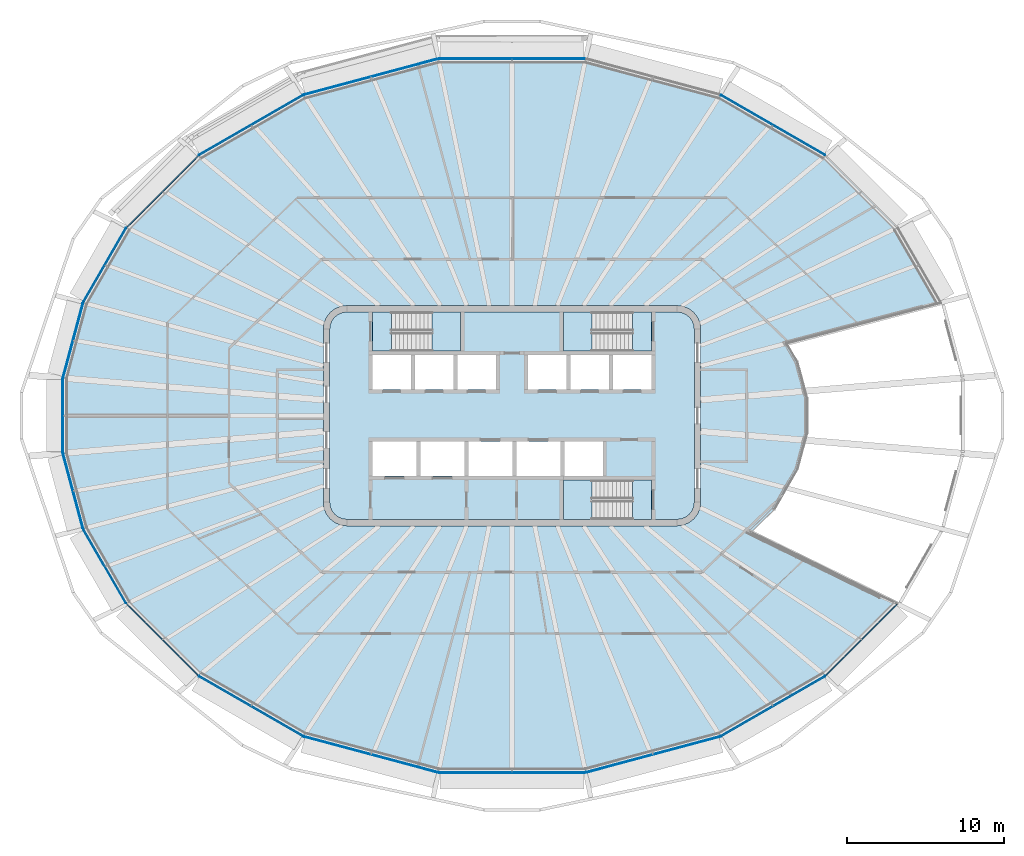
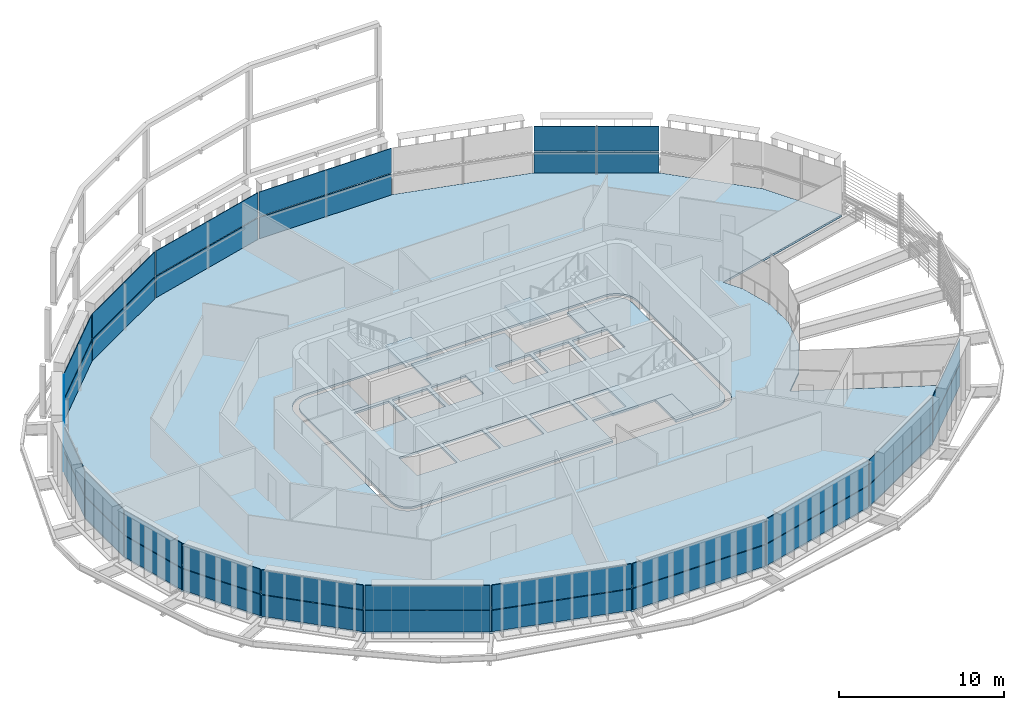
# One storey, part 8 of 19: 34 plates, 8 slabs, 20 elements without a shape of their own.
"""IFC4 building model written with IfcOpenShell, lengths in metres."""

from ifc_helpers import new_model, si_unit, direction, frame, origin, place, context, subcontext, project, spatial, polyline, outline, extrude, material, layer, layer_set, type_object, element, aggregate, save


model = new_model("IFC4")

# Units and contexts
model_context = context("Model", 3, precision=1e-05, world=origin(), true_north=direction((0.0, 1.0)))
body_context = subcontext(model_context, "Body", "Model", "MODEL_VIEW")
ifc_project = project(units=[si_unit("LENGTHUNIT", "METRE"), si_unit("AREAUNIT", "SQUARE_METRE"), si_unit("VOLUMEUNIT", "CUBIC_METRE"), si_unit("PLANEANGLEUNIT", "RADIAN"), si_unit("MASSUNIT", "GRAM", prefix="KILO")], contexts=[model_context])

# Site, building, storey
site_placement = place(None, origin())
site = spatial("IfcSite", under=ifc_project, at=site_placement, CompositionType="ELEMENT")
building_placement = place(site_placement, origin())
building = spatial("IfcBuilding", under=site, at=building_placement, Name="Sahrelin Media Tower", CompositionType="ELEMENT")
storey_placement = place(building_placement, frame((0.0, 0.0, 287.0)))
storey = spatial("IfcBuildingStorey", under=building, at=storey_placement, Name="L63", CompositionType="ELEMENT", Elevation=287.0)

# Slabs
ifc_material_1 = material(Name="Concrete C40/50", Category="concrete")
ifc_layer_1 = layer(ifc_material_1, 0.14990234375)
ifc_layer_set_1 = layer_set([ifc_layer_1], Name="Composite floor slab 150")
slab_type_1 = type_object("IfcSlabType", Name="Composite floor slab 150", PredefinedType="FLOOR", material=ifc_layer_set_1)
placement_1 = place(storey_placement, frame((0.0, 0.0, -0.14990234375)))
element("IfcSlab", 1, at=placement_1, inside=storey, type_object=slab_type_1, Name="Floor slab L63", PredefinedType="FLOOR", context=body_context, shape_type="SweptSolid", body=[
    extrude(outline(polyline([(19.927734375, -16.536376953125), (24.5, -11.964111328125), (15.20703125, -7.426025390625), (16.677001953125, -5.9560546875), (18.150390625, -3.404541015625), (18.767578125, -1.10107421875), (18.767578125, 1.10107421875), (18.150390625, 3.404541015625), (17.460205078125, 4.599609375), (27.262451171875, 7.181884765625), (24.503173828125, 11.9609375), (19.927734375, 16.536376953125), (13.251708984375, 20.390869140625), (4.68310546875, 22.686767578125), (-4.68310546875, 22.686767578125), (-13.251708984375, 20.390869140625), (-19.927734375, 16.536376953125), (-24.503173828125, 11.9609375), (-27.263916015625, 7.179443359375), (-28.547607421875, 2.388671875), (-28.547607421875, -2.388671875), (-27.263916015625, -7.179443359375), (-24.503173828125, -11.9609375), (-19.927734375, -16.536376953125), (-13.251708984375, -20.390869140625), (-4.68310546875, -22.686767578125), (4.68310546875, -22.686767578125), (13.251708984375, -20.390869140625), (19.927734375, -16.536376953125)]), holes=[polyline([(11.799072265625, 6.25), (11.948974609375, 5.88818359375), (12.0, 5.5), (12.0, -5.5), (11.948974609375, -5.88818359375), (11.799072265625, -6.25), (11.560791015625, -6.560791015625), (11.25, -6.799072265625), (10.88818359375, -6.948974609375), (10.5, -7.0), (-10.5, -7.0), (-10.88818359375, -6.948974609375), (-11.25, -6.799072265625), (-11.560791015625, -6.560791015625), (-11.799072265625, -6.25), (-11.948974609375, -5.88818359375), (-12.0, -5.5), (-12.0, 5.5), (-11.948974609375, 5.88818359375), (-11.799072265625, 6.25), (-11.560791015625, 6.560791015625), (-11.25, 6.799072265625), (-10.88818359375, 6.948974609375), (-10.5, 7.0), (10.5, 7.0), (10.88818359375, 6.948974609375), (11.25, 6.799072265625), (11.560791015625, 6.560791015625), (11.799072265625, 6.25)])]), origin(), (0.0, 0.0, 1.0), 0.14990234375),
])
ifc_layer_2 = layer(ifc_material_1, 0.14990234375)
ifc_layer_set_2 = layer_set([ifc_layer_2], Name="Core floor slab 150")
slab_type_2 = type_object("IfcSlabType", Name="Core floor slab 150", PredefinedType="FLOOR", material=ifc_layer_set_2)
element("IfcSlab", 2, at=placement_1, inside=storey, type_object=slab_type_2, Name="Core floor", PredefinedType="FLOOR", context=body_context, shape_type="SweptSolid", body=[
    extrude(outline(polyline([(-11.60009765625, -5.473876953125), (-11.55908203125, -5.78369140625), (-11.44970703125, -6.04833984375), (-11.275390625, -6.275390625), (-11.04833984375, -6.44970703125), (-10.78369140625, -6.55908203125), (-10.473876953125, -6.60009765625), (3.27490234375, -6.60009765625), (3.27490234375, -4.10009765625), (8.875, -4.10009765625), (8.875, -6.60009765625), (10.473876953125, -6.60009765625), (10.78369140625, -6.55908203125), (11.04833984375, -6.44970703125), (11.275390625, -6.275390625), (11.44970703125, -6.04833984375), (11.55908203125, -5.78369140625), (11.60009765625, -5.473876953125), (11.60009765625, 5.473876953125), (11.55908203125, 5.78369140625), (11.44970703125, 6.04833984375), (11.275390625, 6.275390625), (11.04833984375, 6.44970703125), (10.78369140625, 6.55908203125), (10.473876953125, 6.60009765625), (8.875, 6.60009765625), (8.875, 4.10009765625), (3.27490234375, 4.10009765625), (3.27490234375, 6.60009765625), (-3.27490234375, 6.60009765625), (-3.27490234375, 4.10009765625), (-8.875, 4.10009765625), (-8.875, 6.60009765625), (-10.473876953125, 6.60009765625), (-10.78369140625, 6.55908203125), (-11.04833984375, 6.44970703125), (-11.275390625, 6.275390625), (-11.44970703125, 6.04833984375), (-11.55908203125, 5.78369140625), (-11.60009765625, 5.473876953125), (-11.60009765625, -5.473876953125)]), holes=[polyline([(-8.875, 3.85009765625), (-8.875, 1.64990234375), (-6.425048828125, 1.64990234375), (-6.425048828125, 3.85009765625), (-8.875, 3.85009765625)]), polyline([(-3.72509765625, 3.85009765625), (-6.175048828125, 3.85009765625), (-6.175048828125, 1.64990234375), (-3.72509765625, 1.64990234375), (-3.72509765625, 3.85009765625)]), polyline([(-1.02490234375, 1.64990234375), (-1.02490234375, 3.85009765625), (-3.47509765625, 3.85009765625), (-3.47509765625, 1.64990234375), (-1.02490234375, 1.64990234375)]), polyline([(1.02490234375, 1.64990234375), (3.47509765625, 1.64990234375), (3.47509765625, 3.85009765625), (1.02490234375, 3.85009765625), (1.02490234375, 1.64990234375)]), polyline([(3.72509765625, 3.85009765625), (3.72509765625, 1.64990234375), (6.175048828125, 1.64990234375), (6.175048828125, 3.85009765625), (3.72509765625, 3.85009765625)]), polyline([(8.875, 3.85009765625), (6.425048828125, 3.85009765625), (6.425048828125, 1.64990234375), (8.875, 1.64990234375), (8.875, 3.85009765625)]), polyline([(-6.074951171875, -3.85009765625), (-6.074951171875, -1.64990234375), (-8.875, -1.64990234375), (-8.875, -3.85009765625), (-6.074951171875, -3.85009765625)]), polyline([(-5.824951171875, -3.85009765625), (-3.02490234375, -3.85009765625), (-3.02490234375, -1.64990234375), (-5.824951171875, -1.64990234375), (-5.824951171875, -3.85009765625)]), polyline([(-2.77490234375, -1.64990234375), (-2.77490234375, -3.85009765625), (0.02490234375, -3.85009765625), (0.02490234375, -1.64990234375), (-2.77490234375, -1.64990234375)]), polyline([(3.074951171875, -1.64990234375), (0.27490234375, -1.64990234375), (0.27490234375, -3.85009765625), (3.074951171875, -3.85009765625), (3.074951171875, -1.64990234375)]), polyline([(5.77490234375, -3.85009765625), (5.77490234375, -1.64990234375), (3.324951171875, -1.64990234375), (3.324951171875, -3.85009765625), (5.77490234375, -3.85009765625)])]), origin(), (0.0, 0.0, 1.0), 0.14990234375),
])

# Curtain wall, plate
ifc_material_2 = material(Name="Champagne anodised aluminium 6063-T6", Category="aluminium")
ifc_layer_3 = layer(ifc_material_2, 0.14990234375)
ifc_layer_set_3 = layer_set([ifc_layer_3], Name="Tower ribbon curtain wall")
curtain_wall_type = type_object("IfcCurtainWallType", Name="Tower ribbon curtain wall", PredefinedType="NOTDEFINED", material=ifc_layer_set_3)
curtain_wall_1_placement = place(storey_placement, frame((16.599853515625, 18.48095703125, 0.0), z_axis=(0.0, 0.0, 1.0), x_axis=(1.0, 0.0, 0.0)))
curtain_wall_1 = element("IfcCurtainWall", 3, at=curtain_wall_1_placement, inside=storey, type_object=curtain_wall_type, Name="L63:CW:L63-04", PredefinedType="NOTDEFINED")
ifc_material_3 = material(Name="Clear low-iron glazing", Category="glass")
ifc_layer_4 = layer(ifc_material_3, 0.048095703125)
ifc_layer_set_4 = layer_set([ifc_layer_4], Name="Glazing panel 48 mm CW1C")
plate_type_1 = type_object("IfcPlateType", Name="Glazing panel 48 mm CW1C", PredefinedType="CURTAIN_PANEL", material=ifc_layer_set_4)
plate_1_placement = place(storey_placement, frame((19.90673828125, 16.5947265625, 1.6298828125), z_axis=(0.500008334558, 0.866020591771, 0.0), x_axis=(-0.866020591771, 0.500008334558, 0.0)))
plate_1 = element("IfcPlate", 4, at=plate_1_placement, type_object=plate_type_1, Name="L63:CWP2:L63-04", PredefinedType="CURTAIN_PANEL", context=body_context, shape_type="SweptSolid", body=[
    extrude(outline(polyline([(0.0, 0.0), (7.614013671875, 0.0), (7.614013671875, 1.818603515625), (0.0, 1.818603515625), (0.0, 0.0)])), origin(), (0.0, 0.0, -1.0), 0.048095703125),
])

curtain_wall_2_placement = place(storey_placement, frame((0.0, 22.706787109375, 0.0), z_axis=(0.0, 0.0, 1.0), x_axis=(1.0, 0.0, 0.0)))
curtain_wall_2 = element("IfcCurtainWall", 5, at=curtain_wall_2_placement, inside=storey, type_object=curtain_wall_type, Name="L63:CW:L63-06", PredefinedType="NOTDEFINED")
plate_2_placement = place(storey_placement, frame((4.635498046875, 22.726806640625, 1.6298828125), z_axis=(0.0, 1.0, 0.0), x_axis=(-1.0, 0.0, 0.0)))
plate_2 = element("IfcPlate", 6, at=plate_2_placement, type_object=plate_type_1, Name="L63:CWP2:L63-06", PredefinedType="CURTAIN_PANEL", context=body_context, shape_type="SweptSolid", body=[
    extrude(outline(polyline([(0.0, 0.0), (9.27099609375, 0.0), (9.27099609375, 1.818603515625), (0.0, 1.818603515625), (0.0, 0.0)])), origin(), (0.0, 0.0, -1.0), 0.048095703125),
])

curtain_wall_3_placement = place(storey_placement, frame((-8.972412109375, 21.55810546875, 0.0), z_axis=(0.0, 0.0, 1.0), x_axis=(1.0, 0.0, 0.0)))
curtain_wall_3 = element("IfcCurtainWall", 7, at=curtain_wall_3_placement, inside=storey, type_object=curtain_wall_type, Name="L63:CW:L63-07", PredefinedType="NOTDEFINED")
plate_3_placement = place(storey_placement, frame((-4.739013671875, 22.713134765625, 1.6298828125), z_axis=(-0.2587930952, 0.965932779171, 0.0), x_axis=(-0.965932779171, -0.2587930952, 0.0)))
plate_3 = element("IfcPlate", 8, at=plate_3_placement, type_object=plate_type_1, Name="L63:CWP2:L63-07", PredefinedType="CURTAIN_PANEL", context=body_context, shape_type="SweptSolid", body=[
    extrude(outline(polyline([(0.0, 0.0), (8.7763671875, 0.0), (8.7763671875, 1.818603515625), (0.0, 1.818603515625), (0.0, 0.0)])), origin(), (0.0, 0.0, -1.0), 0.048095703125),
])

curtain_wall_4_placement = place(storey_placement, frame((-16.599853515625, 18.48095703125, 0.0), z_axis=(0.0, 0.0, 1.0), x_axis=(1.0, 0.0, 0.0)))
curtain_wall_4 = element("IfcCurtainWall", 9, at=curtain_wall_4_placement, inside=storey, type_object=curtain_wall_type, Name="L63:CW:L63-08", PredefinedType="NOTDEFINED")
plate_4_placement = place(storey_placement, frame((-13.312744140625, 20.40185546875, 1.6298828125), z_axis=(-0.500008334558, 0.866020591771, 0.0), x_axis=(-0.866020591771, -0.500008334558, 0.0)))
plate_4 = element("IfcPlate", 10, at=plate_4_placement, type_object=plate_type_1, Name="L63:CWP2:L63-08", PredefinedType="CURTAIN_PANEL", context=body_context, shape_type="SweptSolid", body=[
    extrude(outline(polyline([(0.0, 0.0), (7.614013671875, 0.0), (7.614013671875, 1.818603515625), (0.0, 1.818603515625), (0.0, 0.0)])), origin(), (0.0, 0.0, -1.0), 0.048095703125),
])

curtain_wall_5_placement = place(storey_placement, frame((-22.2294921875, 14.262939453125, 0.0), z_axis=(0.0, 0.0, 1.0), x_axis=(1.0, 0.0, 0.0)))
curtain_wall_5 = element("IfcCurtainWall", 11, at=curtain_wall_5_placement, inside=storey, type_object=curtain_wall_type, Name="L63:CW:L63-09", PredefinedType="NOTDEFINED")
plate_5_placement = place(storey_placement, frame((-19.989501953125, 16.53125, 1.6298828125), z_axis=(-0.707125926591, 0.707087635264, 0.0), x_axis=(-0.707087635264, -0.707125926591, 0.0)))
plate_5 = element("IfcPlate", 12, at=plate_5_placement, type_object=plate_type_1, Name="L63:CWP2:L63-09", PredefinedType="CURTAIN_PANEL", context=body_context, shape_type="SweptSolid", body=[
    extrude(outline(polyline([(0.0, 0.0), (6.3759765625, 0.0), (6.3759765625, 1.818603515625), (0.0, 1.818603515625), (0.0, 0.0)])), origin(), (0.0, 0.0, -1.0), 0.048095703125),
])

curtain_wall_6_placement = place(storey_placement, frame((-25.90087890625, 9.580322265625, 0.0), z_axis=(0.0, 0.0, 1.0), x_axis=(1.0, 0.0, 0.0)))
curtain_wall_6 = element("IfcCurtainWall", 13, at=curtain_wall_6_placement, inside=storey, type_object=curtain_wall_type, Name="L63:CW:L63-10", PredefinedType="NOTDEFINED")
plate_6_placement = place(storey_placement, frame((-24.561279296875, 11.93994140625, 1.6298828125), z_axis=(-0.866014013474, 0.500019728077, 0.0), x_axis=(-0.500019728077, -0.866014013474, 0.0)))
plate_6 = element("IfcPlate", 14, at=plate_6_placement, type_object=plate_type_1, Name="L63:CWP2:L63-10", PredefinedType="CURTAIN_PANEL", context=body_context, shape_type="SweptSolid", body=[
    extrude(outline(polyline([(0.0, 0.0), (5.426513671875, 0.0), (5.426513671875, 1.818603515625), (0.0, 1.818603515625), (0.0, 0.0)])), origin(), (0.0, 0.0, -1.0), 0.048095703125),
])

curtain_wall_7_placement = place(storey_placement, frame((-27.9248046875, 4.789306640625, 0.0), z_axis=(0.0, 0.0, 1.0), x_axis=(1.0, 0.0, 0.0)))
curtain_wall_7 = element("IfcCurtainWall", 15, at=curtain_wall_7_placement, inside=storey, type_object=curtain_wall_type, Name="L63:CW:L63-11", PredefinedType="NOTDEFINED")
plate_7_placement = place(storey_placement, frame((-27.314697265625, 7.14404296875, 1.6298828125), z_axis=(-0.965922740189, 0.25883056231, 0.0), x_axis=(-0.25883056231, -0.965922740189, 0.0)))
plate_7 = element("IfcPlate", 16, at=plate_7_placement, type_object=plate_type_1, Name="L63:CWP2:L63-11", PredefinedType="CURTAIN_PANEL", context=body_context, shape_type="SweptSolid", body=[
    extrude(outline(polyline([(0.0, 0.0), (4.865234375, 0.0), (4.865234375, 1.818603515625), (0.0, 1.818603515625), (0.0, 0.0)])), origin(), (0.0, 0.0, -1.0), 0.048095703125),
])

curtain_wall_8_placement = place(storey_placement, frame((-28.5673828125, 0.0, 0.0), z_axis=(0.0, 0.0, 1.0), x_axis=(1.0, 0.0, 0.0)))
curtain_wall_8 = element("IfcCurtainWall", 17, at=curtain_wall_8_placement, inside=storey, type_object=curtain_wall_type, Name="L63:CW:L63-12", PredefinedType="NOTDEFINED")
plate_8_placement = place(storey_placement, frame((-28.58740234375, 2.34130859375, 1.6298828125), z_axis=(-1.0, 0.0, 0.0), x_axis=(0.0, -1.0, 0.0)))
plate_8 = element("IfcPlate", 18, at=plate_8_placement, type_object=plate_type_1, Name="L63:CWP2:L63-12", PredefinedType="CURTAIN_PANEL", context=body_context, shape_type="SweptSolid", body=[
    extrude(outline(polyline([(0.0, 0.0), (4.6826171875, 0.0), (4.6826171875, 1.818603515625), (0.0, 1.818603515625), (0.0, 0.0)])), origin(), (0.0, 0.0, -1.0), 0.048095703125),
])

curtain_wall_9_placement = place(storey_placement, frame((-27.9248046875, -4.789306640625, 0.0), z_axis=(0.0, 0.0, 1.0), x_axis=(1.0, 0.0, 0.0)))
curtain_wall_9 = element("IfcCurtainWall", 19, at=curtain_wall_9_placement, inside=storey, type_object=curtain_wall_type, Name="L63:CW:L63-13", PredefinedType="NOTDEFINED")
plate_9_placement = place(storey_placement, frame((-28.573974609375, -2.444580078125, 1.6298828125), z_axis=(-0.965922740189, -0.25883056231, 0.0), x_axis=(0.25883056231, -0.965922740189, 0.0)))
plate_9 = element("IfcPlate", 20, at=plate_9_placement, type_object=plate_type_1, Name="L63:CWP2:L63-13", PredefinedType="CURTAIN_PANEL", context=body_context, shape_type="SweptSolid", body=[
    extrude(outline(polyline([(0.0, 0.0), (4.865234375, 0.0), (4.865234375, 1.818603515625), (0.0, 1.818603515625), (0.0, 0.0)])), origin(), (0.0, 0.0, -1.0), 0.048095703125),
])

curtain_wall_10_placement = place(storey_placement, frame((-25.900634765625, -9.580078125, 0.0), z_axis=(0.0, 0.0, 1.0), x_axis=(1.0, 0.0, 0.0)))
curtain_wall_10 = element("IfcCurtainWall", 21, at=curtain_wall_10_placement, inside=storey, type_object=curtain_wall_type, Name="L63:CW:L63-14", PredefinedType="NOTDEFINED")
plate_10_placement = place(storey_placement, frame((-27.274658203125, -7.240478515625, 1.6298828125), z_axis=(-0.866014013474, -0.500019728077, 0.0), x_axis=(0.500019728077, -0.866014013474, 0.0)))
plate_10 = element("IfcPlate", 22, at=plate_10_placement, type_object=plate_type_1, Name="L63:CWP2:L63-14", PredefinedType="CURTAIN_PANEL", context=body_context, shape_type="SweptSolid", body=[
    extrude(outline(polyline([(0.0, 0.0), (5.426513671875, 0.0), (5.426513671875, 1.818603515625), (0.0, 1.818603515625), (0.0, 0.0)])), origin(), (0.0, 0.0, -1.0), 0.048095703125),
])

curtain_wall_11_placement = place(storey_placement, frame((-22.2294921875, -14.2626953125, 0.0), z_axis=(0.0, 0.0, 1.0), x_axis=(1.0, 0.0, 0.0)))
curtain_wall_11 = element("IfcCurtainWall", 23, at=curtain_wall_11_placement, inside=storey, type_object=curtain_wall_type, Name="L63:CW:L63-15", PredefinedType="NOTDEFINED")
plate_11_placement = place(storey_placement, frame((-24.497802734375, -12.022705078125, 1.6298828125), z_axis=(-0.707125926591, -0.707087635264, 0.0), x_axis=(0.707087635264, -0.707125926591, 0.0)))
plate_11 = element("IfcPlate", 24, at=plate_11_placement, type_object=plate_type_1, Name="L63:CWP2:L63-15", PredefinedType="CURTAIN_PANEL", context=body_context, shape_type="SweptSolid", body=[
    extrude(outline(polyline([(0.0, 0.0), (6.3759765625, 0.0), (6.3759765625, 1.818603515625), (0.0, 1.818603515625), (0.0, 0.0)])), origin(), (0.0, 0.0, -1.0), 0.048095703125),
])

curtain_wall_12_placement = place(storey_placement, frame((-16.599853515625, -18.48095703125, 0.0), z_axis=(0.0, 0.0, 1.0), x_axis=(1.0, 0.0, 0.0)))
curtain_wall_12 = element("IfcCurtainWall", 25, at=curtain_wall_12_placement, inside=storey, type_object=curtain_wall_type, Name="L63:CW:L63-16", PredefinedType="NOTDEFINED")
plate_12_placement = place(storey_placement, frame((-19.90673828125, -16.5947265625, 1.6298828125), z_axis=(-0.500008334558, -0.866020591771, 0.0), x_axis=(0.866020591771, -0.500008334558, 0.0)))
plate_12 = element("IfcPlate", 26, at=plate_12_placement, type_object=plate_type_1, Name="L63:CWP2:L63-16", PredefinedType="CURTAIN_PANEL", context=body_context, shape_type="SweptSolid", body=[
    extrude(outline(polyline([(0.0, 0.0), (7.614013671875, 0.0), (7.614013671875, 1.818603515625), (0.0, 1.818603515625), (0.0, 0.0)])), origin(), (0.0, 0.0, -1.0), 0.048095703125),
])

curtain_wall_13_placement = place(storey_placement, frame((-8.972412109375, -21.55810546875, 0.0), z_axis=(0.0, 0.0, 1.0), x_axis=(1.0, 0.0, 0.0)))
curtain_wall_13 = element("IfcCurtainWall", 27, at=curtain_wall_13_placement, inside=storey, type_object=curtain_wall_type, Name="L63:CW:L63-17", PredefinedType="NOTDEFINED")
plate_13_placement = place(storey_placement, frame((-13.21630859375, -20.44189453125, 1.6298828125), z_axis=(-0.2587930952, -0.965932779171, 0.0), x_axis=(0.965932779171, -0.2587930952, 0.0)))
plate_13 = element("IfcPlate", 28, at=plate_13_placement, type_object=plate_type_1, Name="L63:CWP2:L63-17", PredefinedType="CURTAIN_PANEL", context=body_context, shape_type="SweptSolid", body=[
    extrude(outline(polyline([(0.0, 0.0), (8.7763671875, 0.0), (8.7763671875, 1.818603515625), (0.0, 1.818603515625), (0.0, 0.0)])), origin(), (0.0, 0.0, -1.0), 0.048095703125),
])

curtain_wall_14_placement = place(storey_placement, frame((0.0, -22.706787109375, 0.0), z_axis=(0.0, 0.0, 1.0), x_axis=(1.0, 0.0, 0.0)))
curtain_wall_14 = element("IfcCurtainWall", 29, at=curtain_wall_14_placement, inside=storey, type_object=curtain_wall_type, Name="L63:CW:L63-18", PredefinedType="NOTDEFINED")
plate_14_placement = place(storey_placement, frame((-4.635498046875, -22.726806640625, 1.6298828125), z_axis=(0.0, -1.0, 0.0), x_axis=(1.0, 0.0, 0.0)))
plate_14 = element("IfcPlate", 30, at=plate_14_placement, type_object=plate_type_1, Name="L63:CWP2:L63-18", PredefinedType="CURTAIN_PANEL", context=body_context, shape_type="SweptSolid", body=[
    extrude(outline(polyline([(0.0, 0.0), (9.27099609375, 0.0), (9.27099609375, 1.818603515625), (0.0, 1.818603515625), (0.0, 0.0)])), origin(), (0.0, 0.0, -1.0), 0.048095703125),
])

curtain_wall_15_placement = place(storey_placement, frame((8.972412109375, -21.55810546875, 0.0), z_axis=(0.0, 0.0, 1.0), x_axis=(1.0, 0.0, 0.0)))
curtain_wall_15 = element("IfcCurtainWall", 31, at=curtain_wall_15_placement, inside=storey, type_object=curtain_wall_type, Name="L63:CW:L63-19", PredefinedType="NOTDEFINED")
plate_15_placement = place(storey_placement, frame((4.739013671875, -22.713134765625, 1.6298828125), z_axis=(0.2587930952, -0.965932779171, 0.0), x_axis=(0.965932779171, 0.2587930952, 0.0)))
plate_15 = element("IfcPlate", 32, at=plate_15_placement, type_object=plate_type_1, Name="L63:CWP2:L63-19", PredefinedType="CURTAIN_PANEL", context=body_context, shape_type="SweptSolid", body=[
    extrude(outline(polyline([(0.0, 0.0), (8.7763671875, 0.0), (8.7763671875, 1.818603515625), (0.0, 1.818603515625), (0.0, 0.0)])), origin(), (0.0, 0.0, -1.0), 0.048095703125),
])

curtain_wall_16_placement = place(storey_placement, frame((16.599853515625, -18.48095703125, 0.0), z_axis=(0.0, 0.0, 1.0), x_axis=(1.0, 0.0, 0.0)))
curtain_wall_16 = element("IfcCurtainWall", 33, at=curtain_wall_16_placement, inside=storey, type_object=curtain_wall_type, Name="L63:CW:L63-20", PredefinedType="NOTDEFINED")
plate_16_placement = place(storey_placement, frame((13.312744140625, -20.40185546875, 1.6298828125), z_axis=(0.500008334558, -0.866020591771, 0.0), x_axis=(0.866020591771, 0.500008334558, 0.0)))
plate_16 = element("IfcPlate", 34, at=plate_16_placement, type_object=plate_type_1, Name="L63:CWP2:L63-20", PredefinedType="CURTAIN_PANEL", context=body_context, shape_type="SweptSolid", body=[
    extrude(outline(polyline([(0.0, 0.0), (7.614013671875, 0.0), (7.614013671875, 1.818603515625), (0.0, 1.818603515625), (0.0, 0.0)])), origin(), (0.0, 0.0, -1.0), 0.048095703125),
])

curtain_wall_17_placement = place(storey_placement, frame((22.2294921875, -14.262939453125, 0.0), z_axis=(0.0, 0.0, 1.0), x_axis=(1.0, 0.0, 0.0)))
curtain_wall_17 = element("IfcCurtainWall", 35, at=curtain_wall_17_placement, inside=storey, type_object=curtain_wall_type, Name="L63:CW:L63-21", PredefinedType="NOTDEFINED")
plate_17_placement = place(storey_placement, frame((19.989501953125, -16.53125, 1.6298828125), z_axis=(0.707125926591, -0.707087635264, 0.0), x_axis=(0.707087635264, 0.707125926591, 0.0)))
plate_17 = element("IfcPlate", 36, at=plate_17_placement, type_object=plate_type_1, Name="L63:CWP2:L63-21", PredefinedType="CURTAIN_PANEL", context=body_context, shape_type="SweptSolid", body=[
    extrude(outline(polyline([(0.0, 0.0), (6.3759765625, 0.0), (6.3759765625, 1.818603515625), (0.0, 1.818603515625), (0.0, 0.0)])), origin(), (0.0, 0.0, -1.0), 0.048095703125),
])

# Plate
ifc_material_4 = material(Name="Insulated spandrel panel")
ifc_layer_5 = layer(ifc_material_4, 0.06005859375)
ifc_layer_set_5 = layer_set([ifc_layer_5], Name="Spandrel panel 60 mm CW1")
plate_type_2 = type_object("IfcPlateType", Name="Spandrel panel 60 mm CW1", PredefinedType="SHEET", material=ifc_layer_set_5)
plate_18_placement = place(storey_placement, frame((19.90673828125, 16.5947265625, 0.0), z_axis=(0.500008334558, 0.866020591771, 0.0), x_axis=(-0.866020591771, 0.500008334558, 0.0)))
plate_18 = element("IfcPlate", 37, at=plate_18_placement, type_object=plate_type_2, Name="L63:CWP1:L63-04", PredefinedType="SHEET", context=body_context, shape_type="SweptSolid", body=[
    extrude(outline(polyline([(0.0, 0.0), (7.614013671875, 0.0), (7.614013671875, 1.570068359375), (0.0, 1.570068359375), (0.0, 0.0)])), origin(), (0.0, 0.0, -1.0), 0.06005859375),
])

aggregate(curtain_wall_1, [plate_18, plate_1])

plate_19_placement = place(storey_placement, frame((4.635498046875, 22.726806640625, 0.0), z_axis=(0.0, 1.0, 0.0), x_axis=(-1.0, 0.0, 0.0)))
plate_19 = element("IfcPlate", 38, at=plate_19_placement, type_object=plate_type_2, Name="L63:CWP1:L63-06", PredefinedType="SHEET", context=body_context, shape_type="SweptSolid", body=[
    extrude(outline(polyline([(0.0, 0.0), (9.27099609375, 0.0), (9.27099609375, 1.570068359375), (0.0, 1.570068359375), (0.0, 0.0)])), origin(), (0.0, 0.0, -1.0), 0.06005859375),
])

aggregate(curtain_wall_2, [plate_19, plate_2])

plate_20_placement = place(storey_placement, frame((-4.739013671875, 22.713134765625, 0.0), z_axis=(-0.2587930952, 0.965932779171, 0.0), x_axis=(-0.965932779171, -0.2587930952, 0.0)))
plate_20 = element("IfcPlate", 39, at=plate_20_placement, type_object=plate_type_2, Name="L63:CWP1:L63-07", PredefinedType="SHEET", context=body_context, shape_type="SweptSolid", body=[
    extrude(outline(polyline([(0.0, 0.0), (8.7763671875, 0.0), (8.7763671875, 1.570068359375), (0.0, 1.570068359375), (0.0, 0.0)])), origin(), (0.0, 0.0, -1.0), 0.06005859375),
])

aggregate(curtain_wall_3, [plate_20, plate_3])

plate_21_placement = place(storey_placement, frame((-13.312744140625, 20.40185546875, 0.0), z_axis=(-0.500008334558, 0.866020591771, 0.0), x_axis=(-0.866020591771, -0.500008334558, 0.0)))
plate_21 = element("IfcPlate", 40, at=plate_21_placement, type_object=plate_type_2, Name="L63:CWP1:L63-08", PredefinedType="SHEET", context=body_context, shape_type="SweptSolid", body=[
    extrude(outline(polyline([(0.0, 0.0), (7.614013671875, 0.0), (7.614013671875, 1.570068359375), (0.0, 1.570068359375), (0.0, 0.0)])), origin(), (0.0, 0.0, -1.0), 0.06005859375),
])

aggregate(curtain_wall_4, [plate_21, plate_4])

plate_22_placement = place(storey_placement, frame((-19.989501953125, 16.53125, 0.0), z_axis=(-0.707125926591, 0.707087635264, 0.0), x_axis=(-0.707087635264, -0.707125926591, 0.0)))
plate_22 = element("IfcPlate", 41, at=plate_22_placement, type_object=plate_type_2, Name="L63:CWP1:L63-09", PredefinedType="SHEET", context=body_context, shape_type="SweptSolid", body=[
    extrude(outline(polyline([(0.0, 0.0), (6.3759765625, 0.0), (6.3759765625, 1.570068359375), (0.0, 1.570068359375), (0.0, 0.0)])), origin(), (0.0, 0.0, -1.0), 0.06005859375),
])

aggregate(curtain_wall_5, [plate_22, plate_5])

plate_23_placement = place(storey_placement, frame((-24.561279296875, 11.93994140625, 0.0), z_axis=(-0.866014013474, 0.500019728077, 0.0), x_axis=(-0.500019728077, -0.866014013474, 0.0)))
plate_23 = element("IfcPlate", 42, at=plate_23_placement, type_object=plate_type_2, Name="L63:CWP1:L63-10", PredefinedType="SHEET", context=body_context, shape_type="SweptSolid", body=[
    extrude(outline(polyline([(0.0, 0.0), (5.426513671875, 0.0), (5.426513671875, 1.570068359375), (0.0, 1.570068359375), (0.0, 0.0)])), origin(), (0.0, 0.0, -1.0), 0.06005859375),
])

aggregate(curtain_wall_6, [plate_23, plate_6])

plate_24_placement = place(storey_placement, frame((-27.314697265625, 7.14404296875, 0.0), z_axis=(-0.965922740189, 0.25883056231, 0.0), x_axis=(-0.25883056231, -0.965922740189, 0.0)))
plate_24 = element("IfcPlate", 43, at=plate_24_placement, type_object=plate_type_2, Name="L63:CWP1:L63-11", PredefinedType="SHEET", context=body_context, shape_type="SweptSolid", body=[
    extrude(outline(polyline([(0.0, 0.0), (4.865234375, 0.0), (4.865234375, 1.570068359375), (0.0, 1.570068359375), (0.0, 0.0)])), origin(), (0.0, 0.0, -1.0), 0.06005859375),
])

aggregate(curtain_wall_7, [plate_24, plate_7])

plate_25_placement = place(storey_placement, frame((-28.58740234375, 2.34130859375, 0.0), z_axis=(-1.0, 0.0, 0.0), x_axis=(0.0, -1.0, 0.0)))
plate_25 = element("IfcPlate", 44, at=plate_25_placement, type_object=plate_type_2, Name="L63:CWP1:L63-12", PredefinedType="SHEET", context=body_context, shape_type="SweptSolid", body=[
    extrude(outline(polyline([(0.0, 0.0), (4.6826171875, 0.0), (4.6826171875, 1.570068359375), (0.0, 1.570068359375), (0.0, 0.0)])), origin(), (0.0, 0.0, -1.0), 0.06005859375),
])

aggregate(curtain_wall_8, [plate_25, plate_8])

plate_26_placement = place(storey_placement, frame((-28.573974609375, -2.444580078125, 0.0), z_axis=(-0.965922740189, -0.25883056231, 0.0), x_axis=(0.25883056231, -0.965922740189, 0.0)))
plate_26 = element("IfcPlate", 45, at=plate_26_placement, type_object=plate_type_2, Name="L63:CWP1:L63-13", PredefinedType="SHEET", context=body_context, shape_type="SweptSolid", body=[
    extrude(outline(polyline([(0.0, 0.0), (4.865234375, 0.0), (4.865234375, 1.570068359375), (0.0, 1.570068359375), (0.0, 0.0)])), origin(), (0.0, 0.0, -1.0), 0.06005859375),
])

aggregate(curtain_wall_9, [plate_26, plate_9])

plate_27_placement = place(storey_placement, frame((-27.274658203125, -7.240478515625, 0.0), z_axis=(-0.866014013474, -0.500019728077, 0.0), x_axis=(0.500019728077, -0.866014013474, 0.0)))
plate_27 = element("IfcPlate", 46, at=plate_27_placement, type_object=plate_type_2, Name="L63:CWP1:L63-14", PredefinedType="SHEET", context=body_context, shape_type="SweptSolid", body=[
    extrude(outline(polyline([(0.0, 0.0), (5.426513671875, 0.0), (5.426513671875, 1.570068359375), (0.0, 1.570068359375), (0.0, 0.0)])), origin(), (0.0, 0.0, -1.0), 0.06005859375),
])

aggregate(curtain_wall_10, [plate_27, plate_10])

plate_28_placement = place(storey_placement, frame((-24.497802734375, -12.022705078125, 0.0), z_axis=(-0.707125926591, -0.707087635264, 0.0), x_axis=(0.707087635264, -0.707125926591, 0.0)))
plate_28 = element("IfcPlate", 47, at=plate_28_placement, type_object=plate_type_2, Name="L63:CWP1:L63-15", PredefinedType="SHEET", context=body_context, shape_type="SweptSolid", body=[
    extrude(outline(polyline([(0.0, 0.0), (6.3759765625, 0.0), (6.3759765625, 1.570068359375), (0.0, 1.570068359375), (0.0, 0.0)])), origin(), (0.0, 0.0, -1.0), 0.06005859375),
])

aggregate(curtain_wall_11, [plate_28, plate_11])

plate_29_placement = place(storey_placement, frame((-19.90673828125, -16.5947265625, 0.0), z_axis=(-0.500008334558, -0.866020591771, 0.0), x_axis=(0.866020591771, -0.500008334558, 0.0)))
plate_29 = element("IfcPlate", 48, at=plate_29_placement, type_object=plate_type_2, Name="L63:CWP1:L63-16", PredefinedType="SHEET", context=body_context, shape_type="SweptSolid", body=[
    extrude(outline(polyline([(0.0, 0.0), (7.614013671875, 0.0), (7.614013671875, 1.570068359375), (0.0, 1.570068359375), (0.0, 0.0)])), origin(), (0.0, 0.0, -1.0), 0.06005859375),
])

aggregate(curtain_wall_12, [plate_29, plate_12])

plate_30_placement = place(storey_placement, frame((-13.21630859375, -20.44189453125, 0.0), z_axis=(-0.2587930952, -0.965932779171, 0.0), x_axis=(0.965932779171, -0.2587930952, 0.0)))
plate_30 = element("IfcPlate", 49, at=plate_30_placement, type_object=plate_type_2, Name="L63:CWP1:L63-17", PredefinedType="SHEET", context=body_context, shape_type="SweptSolid", body=[
    extrude(outline(polyline([(0.0, 0.0), (8.7763671875, 0.0), (8.7763671875, 1.570068359375), (0.0, 1.570068359375), (0.0, 0.0)])), origin(), (0.0, 0.0, -1.0), 0.06005859375),
])

aggregate(curtain_wall_13, [plate_30, plate_13])

plate_31_placement = place(storey_placement, frame((-4.635498046875, -22.726806640625, 0.0), z_axis=(0.0, -1.0, 0.0), x_axis=(1.0, 0.0, 0.0)))
plate_31 = element("IfcPlate", 50, at=plate_31_placement, type_object=plate_type_2, Name="L63:CWP1:L63-18", PredefinedType="SHEET", context=body_context, shape_type="SweptSolid", body=[
    extrude(outline(polyline([(0.0, 0.0), (9.27099609375, 0.0), (9.27099609375, 1.570068359375), (0.0, 1.570068359375), (0.0, 0.0)])), origin(), (0.0, 0.0, -1.0), 0.06005859375),
])

aggregate(curtain_wall_14, [plate_31, plate_14])

plate_32_placement = place(storey_placement, frame((4.739013671875, -22.713134765625, 0.0), z_axis=(0.2587930952, -0.965932779171, 0.0), x_axis=(0.965932779171, 0.2587930952, 0.0)))
plate_32 = element("IfcPlate", 51, at=plate_32_placement, type_object=plate_type_2, Name="L63:CWP1:L63-19", PredefinedType="SHEET", context=body_context, shape_type="SweptSolid", body=[
    extrude(outline(polyline([(0.0, 0.0), (8.7763671875, 0.0), (8.7763671875, 1.570068359375), (0.0, 1.570068359375), (0.0, 0.0)])), origin(), (0.0, 0.0, -1.0), 0.06005859375),
])

aggregate(curtain_wall_15, [plate_32, plate_15])

plate_33_placement = place(storey_placement, frame((13.312744140625, -20.40185546875, 0.0), z_axis=(0.500008334558, -0.866020591771, 0.0), x_axis=(0.866020591771, 0.500008334558, 0.0)))
plate_33 = element("IfcPlate", 52, at=plate_33_placement, type_object=plate_type_2, Name="L63:CWP1:L63-20", PredefinedType="SHEET", context=body_context, shape_type="SweptSolid", body=[
    extrude(outline(polyline([(0.0, 0.0), (7.614013671875, 0.0), (7.614013671875, 1.570068359375), (0.0, 1.570068359375), (0.0, 0.0)])), origin(), (0.0, 0.0, -1.0), 0.06005859375),
])

aggregate(curtain_wall_16, [plate_33, plate_16])

plate_34_placement = place(storey_placement, frame((19.989501953125, -16.53125, 0.0), z_axis=(0.707125926591, -0.707087635264, 0.0), x_axis=(0.707087635264, 0.707125926591, 0.0)))
plate_34 = element("IfcPlate", 53, at=plate_34_placement, type_object=plate_type_2, Name="L63:CWP1:L63-21", PredefinedType="SHEET", context=body_context, shape_type="SweptSolid", body=[
    extrude(outline(polyline([(0.0, 0.0), (6.3759765625, 0.0), (6.3759765625, 1.570068359375), (0.0, 1.570068359375), (0.0, 0.0)])), origin(), (0.0, 0.0, -1.0), 0.06005859375),
])

aggregate(curtain_wall_17, [plate_34, plate_17])

# Stair, slabs
stair_type = type_object("IfcStairType", Name="Exit stair 1200", PredefinedType="HALF_TURN_STAIR", material=ifc_material_1)
placement_2 = place(storey_placement, origin())
stair_1 = element("IfcStair", 54, at=placement_2, inside=storey, type_object=stair_type, Name="L63 Exit stair ST1", PredefinedType="HALF_TURN_STAIR")
ifc_layer_6 = layer(ifc_material_1, 0.199951171875)
ifc_layer_set_6 = layer_set([ifc_layer_6], Name="Stair landing 200")
slab_type_3 = type_object("IfcSlabType", Name="Stair landing 200", PredefinedType="LANDING", material=ifc_layer_set_6)
placement_3 = place(storey_placement, frame((0.0, 0.0, 1.800048828125)))
slab_3 = element("IfcSlab", 55, at=placement_3, type_object=slab_type_3, Name="ST1 landing 1", PredefinedType="LANDING", context=body_context, shape_type="SweptSolid", body=[
    extrude(outline(polyline([(-5.074951171875, 4.10009765625), (-3.27490234375, 4.10009765625), (-3.27490234375, 6.60009765625), (-5.074951171875, 6.60009765625), (-5.074951171875, 4.10009765625)])), origin(), (0.0, 0.0, 1.0), 0.199951171875),
])
placement_4 = place(storey_placement, frame((0.0, 0.0, -0.199951171875)))
slab_4 = element("IfcSlab", 56, at=placement_4, type_object=slab_type_3, Name="ST1 landing 2", PredefinedType="LANDING", context=body_context, shape_type="SweptSolid", body=[
    extrude(outline(polyline([(-8.875, 4.10009765625), (-7.675048828125, 4.10009765625), (-7.675048828125, 6.60009765625), (-8.875, 6.60009765625), (-8.875, 4.10009765625)])), origin(), (0.0, 0.0, 1.0), 0.199951171875),
])
aggregate(stair_1, [slab_3, slab_4])

stair_2 = element("IfcStair", 57, at=placement_2, inside=storey, type_object=stair_type, Name="L63 Exit stair ST3", PredefinedType="HALF_TURN_STAIR")
slab_5 = element("IfcSlab", 58, at=placement_3, type_object=slab_type_3, Name="ST3 landing 1", PredefinedType="LANDING", context=body_context, shape_type="SweptSolid", body=[
    extrude(outline(polyline([(5.074951171875, 6.60009765625), (3.27490234375, 6.60009765625), (3.27490234375, 4.10009765625), (5.074951171875, 4.10009765625), (5.074951171875, 6.60009765625)])), origin(), (0.0, 0.0, 1.0), 0.199951171875),
])
slab_6 = element("IfcSlab", 59, at=placement_4, type_object=slab_type_3, Name="ST3 landing 2", PredefinedType="LANDING", context=body_context, shape_type="SweptSolid", body=[
    extrude(outline(polyline([(8.875, 6.60009765625), (7.675048828125, 6.60009765625), (7.675048828125, 4.10009765625), (8.875, 4.10009765625), (8.875, 6.60009765625)])), origin(), (0.0, 0.0, 1.0), 0.199951171875),
])
aggregate(stair_2, [slab_5, slab_6])

stair_3 = element("IfcStair", 60, at=placement_2, inside=storey, type_object=stair_type, Name="L63 Exit stair ST2", PredefinedType="HALF_TURN_STAIR")
slab_7 = element("IfcSlab", 61, at=placement_3, type_object=slab_type_3, Name="ST2 landing 1", PredefinedType="LANDING", context=body_context, shape_type="SweptSolid", body=[
    extrude(outline(polyline([(5.074951171875, -4.10009765625), (3.27490234375, -4.10009765625), (3.27490234375, -6.60009765625), (5.074951171875, -6.60009765625), (5.074951171875, -4.10009765625)])), origin(), (0.0, 0.0, 1.0), 0.199951171875),
])
slab_8 = element("IfcSlab", 62, at=placement_4, type_object=slab_type_3, Name="ST2 landing 2", PredefinedType="LANDING", context=body_context, shape_type="SweptSolid", body=[
    extrude(outline(polyline([(8.875, -4.10009765625), (7.675048828125, -4.10009765625), (7.675048828125, -6.60009765625), (8.875, -6.60009765625), (8.875, -4.10009765625)])), origin(), (0.0, 0.0, 1.0), 0.199951171875),
])
aggregate(stair_3, [slab_7, slab_8])

save(model, "model.ifc")
